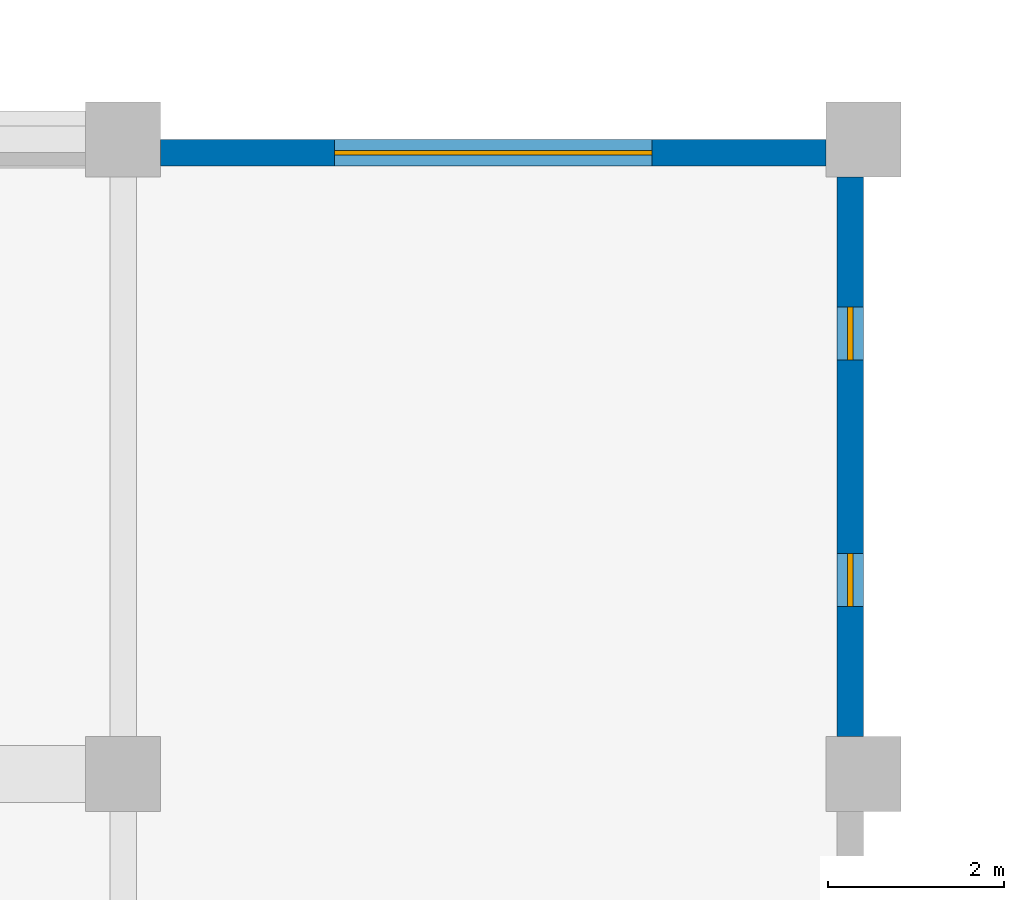
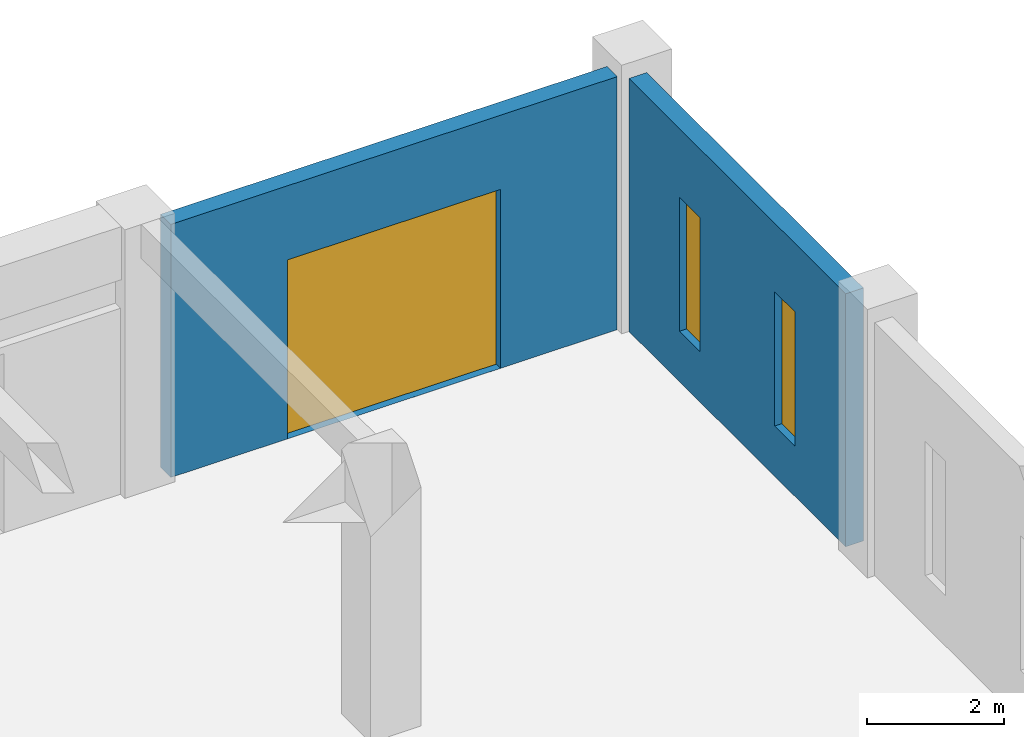
# One storey, part 35 of 49: 2 walls, 2 windows, 1 door, 3 openings.
"""IFC4 building model written with IfcOpenShell, lengths in metres."""

import ifcopenshell
import ifcopenshell.guid

model = None  # the IFC model being written
_history = None  # IfcOwnerHistory: only IFC2X3 demands one
_inside = {}  # id of a spatial element -> (the spatial element, [elements in it])
_under = {}  # id of a project, library or spatial element -> (it, [spatial elements below it])
_declared = {}  # id of a project -> (the project, [libraries it declares])
_typed = {}  # id of a type object -> (the type object, [elements of that type])
_made_of = {}  # id of a material, layer set ... -> (it, [elements and type objects made of it])


def new_model(schema):
    """Start an empty IFC model of exactly this schema.

    Asked for "IFC4X3", IfcOpenShell would pick the latest addendum, in which some entities
    have other attributes; the version numbers below select the first issue.
    IFC2X3 requires an IfcOwnerHistory on every rooted entity: one is made here for all.
    """
    global model, _history
    if schema == "IFC4X3":
        model = ifcopenshell.file(schema_version=(4, 3, 0, 0))
    else:
        model = ifcopenshell.file(schema=schema)
    _inside.clear()
    _under.clear()
    _declared.clear()
    _typed.clear()
    _made_of.clear()
    _history = None
    if model.schema == "IFC2X3":
        org = make("IfcOrganization", Name="unknown")
        user = make(
            "IfcPersonAndOrganization",
            ThePerson=make("IfcPerson", FamilyName="unknown"),
            TheOrganization=org,
        )
        app = make(
            "IfcApplication",
            ApplicationDeveloper=org,
            Version="unknown",
            ApplicationFullName="unknown",
            ApplicationIdentifier="unknown",
        )
        _history = make(
            "IfcOwnerHistory",
            OwningUser=user,
            OwningApplication=app,
            ChangeAction="ADDED",
            CreationDate=0,
        )
    return model


def make(cls, **values):
    """One entity of the class cls with the attributes given. An attribute that is None is left unset."""
    return model.create_entity(
        cls, **{name: value for name, value in values.items() if value is not None}
    )


def rooted(cls, **values):
    """An entity with a GlobalId (a new one), such as an element, a storey or a relation."""
    return make(cls, GlobalId=ifcopenshell.guid.new(), OwnerHistory=_history, **values)


def si_unit(unit_type, name, prefix=None):
    """IfcSIUnit, for example si_unit("LENGTHUNIT", "METRE", prefix="MILLI")."""
    return make("IfcSIUnit", UnitType=unit_type, Prefix=prefix, Name=name)


def assignment(units):
    """IfcUnitAssignment: the units of a project."""
    return None if units is None else make("IfcUnitAssignment", Units=units)


def point(xyz):
    """IfcCartesianPoint."""
    return None if xyz is None else make("IfcCartesianPoint", Coordinates=xyz)


def direction(xyz):
    """IfcDirection."""
    return None if xyz is None else make("IfcDirection", DirectionRatios=xyz)


def frame(location, z_axis=None, x_axis=None):
    """IfcAxis2Placement3D, a coordinate frame: its origin and axes. An axis left out is left unset."""
    return make(
        "IfcAxis2Placement3D",
        Location=point(location),
        Axis=direction(z_axis),
        RefDirection=direction(x_axis),
    )


def frame_2d(location, x_axis=None):
    """IfcAxis2Placement2D, a coordinate frame in the plane: its origin and x axis."""
    return make(
        "IfcAxis2Placement2D", Location=point(location), RefDirection=direction(x_axis)
    )


def origin():
    """The frame at (0, 0, 0) with its axes left unset."""
    return frame((0.0, 0.0, 0.0))


def place(relative_to, where):
    """IfcLocalPlacement: puts the frame where relative to a parent placement (None: the world)."""
    return make(
        "IfcLocalPlacement", PlacementRelTo=relative_to, RelativePlacement=where
    )


def context(
    kind, dimensions, precision=None, world=None, true_north=None, identifier=None
):
    """IfcGeometricRepresentationContext, for example the 3D "Model" context."""
    return make(
        "IfcGeometricRepresentationContext",
        ContextIdentifier=identifier,
        ContextType=kind,
        CoordinateSpaceDimension=dimensions,
        Precision=precision,
        WorldCoordinateSystem=world,
        TrueNorth=true_north,
    )


def subcontext(parent, identifier, kind, view, scale=None):
    """IfcGeometricRepresentationSubContext, for example "Body" below "Model"."""
    return make(
        "IfcGeometricRepresentationSubContext",
        ContextIdentifier=identifier,
        ContextType=kind,
        ParentContext=parent,
        TargetScale=scale,
        TargetView=view,
    )


def project(units=None, contexts=None):
    """IfcProject with its units and contexts."""
    return rooted(
        "IfcProject",
        Name="project",
        RepresentationContexts=contexts,
        UnitsInContext=assignment(units),
    )


def spatial(cls, under=None, at=None, **own):
    """A site, building, storey or space (cls), placed at a placement, below another one or the project."""
    s = rooted(cls, ObjectPlacement=at, **own)
    if under is not None:
        _under.setdefault(under.id(), (under, []))[1].append(s)
    return s


def profile(cls, at=None, kind="AREA", **sizes):
    """A parametric profile (cls). Its sizes go by their IFC names, for example OverallWidth=200.0."""
    return make(cls, ProfileType=kind, Position=at, **sizes)


def rectangle(**sizes):
    """IfcRectangleProfileDef."""
    return profile("IfcRectangleProfileDef", **sizes)


def extrude(swept, where, along, depth):
    """IfcExtrudedAreaSolid: the profile swept, set in the frame where, extruded along a direction by depth."""
    return make(
        "IfcExtrudedAreaSolid",
        SweptArea=swept,
        Position=where,
        ExtrudedDirection=direction(along),
        Depth=depth,
    )


def shape(context_of_items, identifier, shape_type, items):
    """IfcShapeRepresentation: the items that make up one representation, for example the "Body"."""
    return make(
        "IfcShapeRepresentation",
        ContextOfItems=context_of_items,
        RepresentationIdentifier=identifier,
        RepresentationType=shape_type,
        Items=items,
    )


def material(Name=None, Category=None):
    """IfcMaterial."""
    return make("IfcMaterial", Name=Name, Category=Category)


def layer(
    of_material, thickness, ventilated=None, Name=None, Category=None, Priority=None
):
    """IfcMaterialLayer: one layer of a wall or slab, of a material (None: an air gap)."""
    return make(
        "IfcMaterialLayer",
        Material=of_material,
        LayerThickness=thickness,
        IsVentilated=ventilated,
        Name=Name,
        Category=Category,
        Priority=Priority,
    )


def layer_set(layers, Name=None):
    """IfcMaterialLayerSet."""
    return make("IfcMaterialLayerSet", MaterialLayers=layers, LayerSetName=Name)


def made_of(thing, what):
    """Note that an element or type object is made of a material, layer set ...; save() writes the relation."""
    if what is not None:
        _made_of.setdefault(what.id(), (what, []))[1].append(thing)
    return thing


def type_object(cls, material=None, **own):
    """A type object (cls), such as IfcWallType, which elements share."""
    return made_of(rooted(cls, **own), material)


def element(
    cls,
    number,
    at=None,
    inside=None,
    cuts=None,
    type_object=None,
    material=None,
    context=None,
    identifier="Body",
    shape_type=None,
    held_by="IfcProductDefinitionShape",
    body=None,
    shapes=None,
    **own,
):
    """One element of the class cls, such as IfcWall. Its Tag is "e" and its number.

    at: its placement. inside: the storey or other place that contains it. cuts: it is an
    opening in that element (IfcRelVoidsElement). A single representation is given by context,
    identifier, shape_type and body (its items); several are given by shapes. held_by: the class
    of the entity that holds the representations. save() writes the other relations.
    """
    e = rooted(cls, Tag="e%d" % number, ObjectPlacement=at, **own)
    if body is not None:
        shapes = [shape(context, identifier, shape_type, body)]
    if shapes is not None:
        e.Representation = make(held_by, Representations=shapes)
    if inside is not None:
        _inside.setdefault(inside.id(), (inside, []))[1].append(e)
    if cuts is not None:
        rooted(
            "IfcRelVoidsElement", RelatingBuildingElement=cuts, RelatedOpeningElement=e
        )
    if type_object is not None:
        _typed.setdefault(type_object.id(), (type_object, []))[1].append(e)
    return made_of(e, material)


def fill(opening, filler):
    """IfcRelFillsElement: the door or window that sits in an opening."""
    return rooted(
        "IfcRelFillsElement",
        RelatingOpeningElement=opening,
        RelatedBuildingElement=filler,
    )


def aggregate(whole, parts):
    """IfcRelAggregates: a whole, such as a stair, and the parts it consists of."""
    return rooted("IfcRelAggregates", RelatingObject=whole, RelatedObjects=parts)


def save(model, path):
    """Write the relations noted so far, then the file.

    IfcRelAggregates (storeys below a building ...), IfcRelContainedInSpatialStructure (elements
    in a storey), IfcRelDefinesByType, IfcRelAssociatesMaterial and IfcRelDeclares: one each for
    every whole, place, type object, material and project.
    """
    for whole, parts in _under.values():
        aggregate(whole, parts)
    for where, things in _inside.values():
        rooted(
            "IfcRelContainedInSpatialStructure",
            RelatedElements=things,
            RelatingStructure=where,
        )
    for kind, things in _typed.values():
        rooted("IfcRelDefinesByType", RelatedObjects=things, RelatingType=kind)
    for what, things in _made_of.values():
        rooted("IfcRelAssociatesMaterial", RelatedObjects=things, RelatingMaterial=what)
    for by, libraries in _declared.values():
        rooted("IfcRelDeclares", RelatingContext=by, RelatedDefinitions=libraries)
    model.write(path)


model = new_model("IFC4")

# Units and contexts
model_context = context("Model", 3, precision=1e-05, world=origin(), true_north=direction((0.0, 1.0)))
body_context = subcontext(model_context, "Body", "Model", "MODEL_VIEW")
ifc_project = project(units=[si_unit("LENGTHUNIT", "METRE"), si_unit("AREAUNIT", "SQUARE_METRE"), si_unit("VOLUMEUNIT", "CUBIC_METRE"), si_unit("PLANEANGLEUNIT", "RADIAN"), si_unit("MASSUNIT", "GRAM", prefix="KILO")], contexts=[model_context])

# Site, building, storey
site_placement = place(None, origin())
site = spatial("IfcSite", under=ifc_project, at=site_placement, CompositionType="ELEMENT")
building_placement = place(site_placement, origin())
building = spatial("IfcBuilding", under=site, at=building_placement, Name="Kenerak Square Central Library", CompositionType="ELEMENT")
storey_placement = place(building_placement, origin())
storey = spatial("IfcBuildingStorey", under=building, at=storey_placement, Name="L00", CompositionType="ELEMENT", Elevation=0.0)

# Wall, opening, door
ifc_material_1 = material(Name="Concrete C40/50", Category="concrete")
ifc_layer = layer(ifc_material_1, 0.300048828125)
ifc_layer_set = layer_set([ifc_layer], Name="Concrete C40/50")
wall_type = type_object("IfcWallType", Name="Board-Marked Brutalist Facade Wall EW-300 C40/50", PredefinedType="SOLIDWALL", material=ifc_layer_set)
wall_1_placement = place(storey_placement, frame((134.425048828125, 110.25, 0.0), z_axis=(0.0, 0.0, 1.0), x_axis=(1.0, 0.0, 0.0)))
wall_1 = element("IfcWall", 1, at=wall_1_placement, inside=storey, type_object=wall_type, Name="Exterior Facade Wall L00 0051", PredefinedType="SOLIDWALL", context=body_context, shape_type="SweptSolid", body=[
    extrude(rectangle(XDim=7.550048828125, YDim=0.300048828125, at=frame_2d((3.77490234375, 0.0))), origin(), (0.0, 0.0, 1.0), 4.52490234375),
])
opening_1_placement = place(wall_1_placement, frame((1.97509765625, 0.0, 0.0)))
opening_1 = element("IfcOpeningElement", 2, at=opening_1_placement, cuts=wall_1, Name="Opening LG-01", PredefinedType="OPENING", context=body_context, shape_type="SweptSolid", body=[
    extrude(rectangle(XDim=3.60009765625, YDim=3.199951171875, at=frame_2d((1.800048828125, 1.60009765625))), frame((0.0, 0.159912109375, 0.0), z_axis=(0.0, -1.0, 0.0), x_axis=(1.0, 0.0, 0.0)), (0.0, 0.0, 1.0), 0.320068359375),
])
ifc_material_2 = material(Name="Steel S355", Category="steel")
door_type = type_object("IfcDoorType", Name="Loading Bay Roller Shutter Gate LG-3600x3200", OperationType="NOTDEFINED", PredefinedType="GATE", material=ifc_material_2)
door_placement = place(opening_1_placement, origin())
door = element("IfcDoor", 3, at=door_placement, inside=storey, type_object=door_type, Name="Loading Bay Roller Shutter Gate LG-01 005", OperationType="ROLLINGUP", OverallHeight=3.199951171875, OverallWidth=3.60009765625, PredefinedType="GATE", context=body_context, shape_type="SweptSolid", body=[
    extrude(rectangle(XDim=3.60009765625, YDim=3.199951171875, at=frame_2d((1.800048828125, 1.60009765625))), frame((0.0, 0.02490234375, 0.0), z_axis=(0.0, -1.0, 0.0), x_axis=(1.0, 0.0, 0.0)), (0.0, 0.0, 1.0), 0.050048828125),
])
fill(opening_1, door)

# Wall, openings, windows
wall_2_placement = place(storey_placement, frame((142.25, 109.97509765625, 0.0), z_axis=(0.0, 0.0, 1.0), x_axis=(0.0, -1.0, 0.0)))
wall_2 = element("IfcWall", 4, at=wall_2_placement, inside=storey, type_object=wall_type, Name="Exterior Facade Wall L00 0052", PredefinedType="SOLIDWALL", context=body_context, shape_type="SweptSolid", body=[
    extrude(rectangle(XDim=6.35009765625, YDim=0.300048828125, at=frame_2d((3.175048828125, 0.0))), origin(), (0.0, 0.0, 1.0), 4.52490234375),
])
opening_2_placement = place(wall_2_placement, frame((1.47802734375, 0.0, 0.89990234375)))
opening_2 = element("IfcOpeningElement", 5, at=opening_2_placement, cuts=wall_2, Name="Opening W-01", PredefinedType="OPENING", context=body_context, shape_type="SweptSolid", body=[
    extrude(rectangle(XDim=0.60009765625, YDim=2.39990234375, at=frame_2d((0.300048828125, 1.199951171875))), frame((0.0, 0.159912109375, 0.0), z_axis=(0.0, -1.0, 0.0), x_axis=(1.0, 0.0, 0.0)), (0.0, 0.0, 1.0), 0.320068359375),
])
opening_3_placement = place(wall_2_placement, frame((4.27197265625, 0.0, 0.89990234375)))
opening_3 = element("IfcOpeningElement", 6, at=opening_3_placement, cuts=wall_2, Name="Opening W-01", PredefinedType="OPENING", context=body_context, shape_type="SweptSolid", body=[
    extrude(rectangle(XDim=0.60009765625, YDim=2.39990234375, at=frame_2d((0.300048828125, 1.199951171875))), frame((0.0, 0.159912109375, 0.0), z_axis=(0.0, -1.0, 0.0), x_axis=(1.0, 0.0, 0.0)), (0.0, 0.0, 1.0), 0.320068359375),
])
ifc_material_3 = material(Name="Solar-control low-E laminated double glazing", Category="glass")
window_type = type_object("IfcWindowType", Name="UV-Filtered Stack Slot Window W-01 600x2400", PartitioningType="SINGLE_PANEL", PredefinedType="WINDOW", material=ifc_material_3)
window_1_placement = place(opening_2_placement, origin())
window_1 = element("IfcWindow", 7, at=window_1_placement, inside=storey, type_object=window_type, Name="Window W-01 L00 0028", OverallHeight=2.39990234375, OverallWidth=0.60009765625, PartitioningType="SINGLE_PANEL", PredefinedType="WINDOW", context=body_context, shape_type="SweptSolid", body=[
    extrude(rectangle(XDim=0.60009765625, YDim=2.39990234375, at=frame_2d((0.300048828125, 1.199951171875))), frame((0.0, 0.030029296875, 0.0), z_axis=(0.0, -1.0, 0.0), x_axis=(1.0, 0.0, 0.0)), (0.0, 0.0, 1.0), 0.06005859375),
])
fill(opening_2, window_1)
window_2_placement = place(opening_3_placement, origin())
window_2 = element("IfcWindow", 8, at=window_2_placement, inside=storey, type_object=window_type, Name="Window W-01 L00 0029", OverallHeight=2.39990234375, OverallWidth=0.60009765625, PartitioningType="SINGLE_PANEL", PredefinedType="WINDOW", context=body_context, shape_type="SweptSolid", body=[
    extrude(rectangle(XDim=0.60009765625, YDim=2.39990234375, at=frame_2d((0.300048828125, 1.199951171875))), frame((0.0, 0.030029296875, 0.0), z_axis=(0.0, -1.0, 0.0), x_axis=(1.0, 0.0, 0.0)), (0.0, 0.0, 1.0), 0.06005859375),
])
fill(opening_3, window_2)

save(model, "model.ifc")
